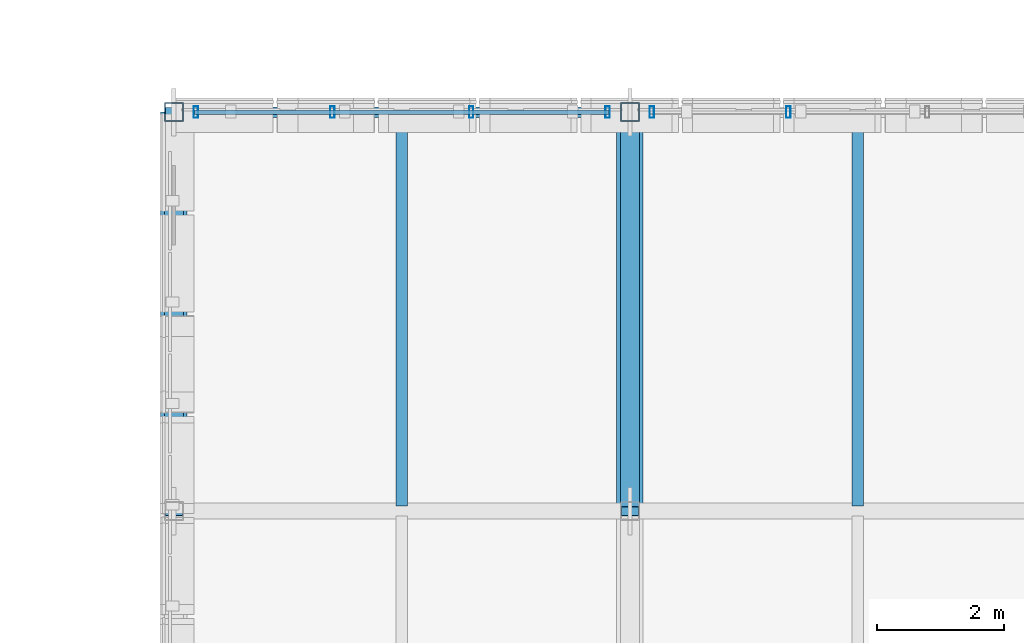
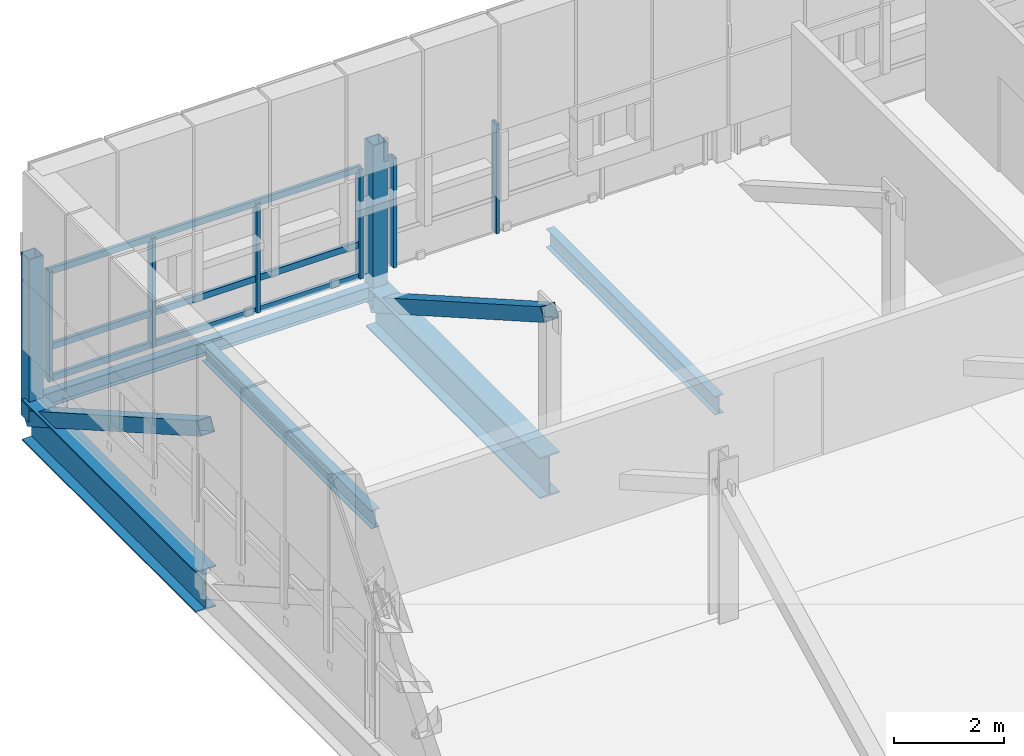
# One storey, part 24 of 96: 13 members, 5 beams, 2 elements without a shape of their own.
"""IFC4 building model written with IfcOpenShell, lengths in metres."""

from ifc_helpers import new_model, si_unit, direction, frame, origin, origin_2d, place, context, subcontext, project, spatial, hollow_rectangle, i_section, extrude, material, material_profile, profile_set, type_object, element, aggregate, save


model = new_model("IFC4")

# Units and contexts
model_context = context("Model", 3, precision=1e-05, world=origin(), true_north=direction((0.0, 1.0)))
body_context = subcontext(model_context, "Body", "Model", "MODEL_VIEW")
ifc_project = project(units=[si_unit("LENGTHUNIT", "METRE"), si_unit("AREAUNIT", "SQUARE_METRE"), si_unit("VOLUMEUNIT", "CUBIC_METRE"), si_unit("PLANEANGLEUNIT", "RADIAN"), si_unit("MASSUNIT", "GRAM", prefix="KILO")], contexts=[model_context])

# Site, building, storey
site_placement = place(None, origin())
site = spatial("IfcSite", under=ifc_project, at=site_placement, CompositionType="ELEMENT")
building_placement = place(site_placement, origin())
building = spatial("IfcBuilding", under=site, at=building_placement, Name="Yarey Park Central Fire Station", CompositionType="ELEMENT")
storey_placement = place(building_placement, frame((0.0, 0.0, 14.39990234375)))
storey = spatial("IfcBuildingStorey", under=building, at=storey_placement, Name="L04", CompositionType="ELEMENT", Elevation=14.39990234375)

# Curtain wall, members
ifc_material_1 = material(Name="Anodized Aluminium Frame", Category="aluminium")
curtain_wall_type = type_object("IfcCurtainWallType", Name="ENV_CW_V3_OVR2", PredefinedType="NOTDEFINED", material=ifc_material_1)
curtain_wall_1_placement = place(storey_placement, origin())
curtain_wall_1 = element("IfcCurtainWall", 1, at=curtain_wall_1_placement, inside=storey, type_object=curtain_wall_type, Name="CW_L04_V3_N_061", PredefinedType="NOTDEFINED")
ifc_material_profile_1 = material_profile(ifc_material_1, hollow_rectangle(XDim=0.070068359375, YDim=0.179931640625, WallThickness=0.00390625, at=origin_2d()), Name="ALU 180x70x4")
ifc_profile_set_1 = profile_set([ifc_material_profile_1], Name="Anodized Aluminium Frame")
member_type_1 = type_object("IfcMemberType", Name="ENV_CW_MULLION", PredefinedType="MULLION", material=ifc_profile_set_1)
member_1_placement = place(storey_placement, frame((35.64990234375, 99.0, 0.0), z_axis=(0.0, 0.0, 1.0), x_axis=(1.0, 0.0, 0.0)))
member_1 = element("IfcMember", 2, at=member_1_placement, type_object=member_type_1, Name="CW_L04_V3_N_061_MUL1", PredefinedType="MULLION", context=body_context, shape_type="SweptSolid", body=[
    extrude(hollow_rectangle(XDim=0.070068359375, YDim=0.179931640625, WallThickness=0.00390625, at=origin_2d()), origin(), (0.0, 0.0, 1.0), 2.420166015625),
])
member_2_placement = place(storey_placement, frame((33.49658203125, 99.0, 0.0), z_axis=(0.0, 0.0, 1.0), x_axis=(1.0, 0.0, 0.0)))
member_2 = element("IfcMember", 3, at=member_2_placement, type_object=member_type_1, Name="CW_L04_V3_N_061_MUL2", PredefinedType="MULLION", context=body_context, shape_type="SweptSolid", body=[
    extrude(hollow_rectangle(XDim=0.070068359375, YDim=0.179931640625, WallThickness=0.00390625, at=origin_2d()), origin(), (0.0, 0.0, 1.0), 2.420166015625),
])
member_3_placement = place(storey_placement, frame((31.30322265625, 99.0, 0.0), z_axis=(0.0, 0.0, 1.0), x_axis=(1.0, 0.0, 0.0)))
member_3 = element("IfcMember", 4, at=member_3_placement, type_object=member_type_1, Name="CW_L04_V3_N_061_MUL3", PredefinedType="MULLION", context=body_context, shape_type="SweptSolid", body=[
    extrude(hollow_rectangle(XDim=0.070068359375, YDim=0.179931640625, WallThickness=0.00390625, at=origin_2d()), origin(), (0.0, 0.0, 1.0), 2.420166015625),
])
member_4_placement = place(storey_placement, frame((29.14990234375, 99.0, 0.0), z_axis=(0.0, 0.0, 1.0), x_axis=(1.0, 0.0, 0.0)))
member_4 = element("IfcMember", 5, at=member_4_placement, type_object=member_type_1, Name="CW_L04_V3_N_061_MUL4", PredefinedType="MULLION", context=body_context, shape_type="SweptSolid", body=[
    extrude(hollow_rectangle(XDim=0.070068359375, YDim=0.179931640625, WallThickness=0.00390625, at=origin_2d()), origin(), (0.0, 0.0, 1.0), 2.420166015625),
])

curtain_wall_2_placement = place(storey_placement, origin())
curtain_wall_2 = element("IfcCurtainWall", 6, at=curtain_wall_2_placement, inside=storey, type_object=curtain_wall_type, Name="CW_L04_V3_N_062", PredefinedType="NOTDEFINED")
member_5_placement = place(storey_placement, frame((38.50341796875, 99.0, 0.0), z_axis=(0.0, 0.0, 1.0), x_axis=(1.0, 0.0, 0.0)))
member_5 = element("IfcMember", 7, at=member_5_placement, type_object=member_type_1, Name="CW_L04_V3_N_062_MUL3", PredefinedType="MULLION", context=body_context, shape_type="SweptSolid", body=[
    extrude(hollow_rectangle(XDim=0.070068359375, YDim=0.179931640625, WallThickness=0.00390625, at=origin_2d()), origin(), (0.0, 0.0, 1.0), 2.420166015625),
])
member_6_placement = place(storey_placement, frame((36.35009765625, 99.0, 0.0), z_axis=(0.0, 0.0, 1.0), x_axis=(1.0, 0.0, 0.0)))
member_6 = element("IfcMember", 8, at=member_6_placement, type_object=member_type_1, Name="CW_L04_V3_N_062_MUL4", PredefinedType="MULLION", context=body_context, shape_type="SweptSolid", body=[
    extrude(hollow_rectangle(XDim=0.070068359375, YDim=0.179931640625, WallThickness=0.00390625, at=origin_2d()), origin(), (0.0, 0.0, 1.0), 2.420166015625),
])
aggregate(curtain_wall_2, [member_5, member_6])

# Member
ifc_material_profile_2 = material_profile(ifc_material_1, hollow_rectangle(XDim=0.070068359375, YDim=0.139892578125, WallThickness=0.00390625, at=origin_2d()), Name="ALU 140x70x4")
ifc_profile_set_2 = profile_set([ifc_material_profile_2], Name="Anodized Aluminium Frame")
member_type_2 = type_object("IfcMemberType", Name="ENV_CW_TRANSOM", PredefinedType="USERDEFINED", material=ifc_profile_set_2)
member_7_placement = place(storey_placement, frame((35.675048828125, 99.0, 0.025146484375), z_axis=(-1.0, 0.0, 0.0), x_axis=(0.0, -1.0, 0.0)))
member_7 = element("IfcMember", 9, at=member_7_placement, type_object=member_type_2, Name="CW_L04_V3_N_061_TRN1", ObjectType="TRANSOM", PredefinedType="USERDEFINED", context=body_context, shape_type="SweptSolid", body=[
    extrude(hollow_rectangle(XDim=0.070068359375, YDim=0.139892578125, WallThickness=0.00390625, at=origin_2d()), origin(), (0.0, 0.0, 1.0), 6.550048828125),
])

member_8_placement = place(storey_placement, frame((35.675048828125, 99.0, 0.72607421875), z_axis=(-1.0, 0.0, 0.0), x_axis=(0.0, -1.0, 0.0)))
member_8 = element("IfcMember", 10, at=member_8_placement, type_object=member_type_2, Name="CW_L04_V3_N_061_TRN2", ObjectType="TRANSOM", PredefinedType="USERDEFINED", context=body_context, shape_type="SweptSolid", body=[
    extrude(hollow_rectangle(XDim=0.070068359375, YDim=0.139892578125, WallThickness=0.00390625, at=origin_2d()), origin(), (0.0, 0.0, 1.0), 6.550048828125),
])

member_9_placement = place(storey_placement, frame((35.675048828125, 99.0, 2.39501953125), z_axis=(-1.0, 0.0, 0.0), x_axis=(0.0, -1.0, 0.0)))
member_9 = element("IfcMember", 11, at=member_9_placement, type_object=member_type_2, Name="CW_L04_V3_N_061_TRN3", ObjectType="TRANSOM", PredefinedType="USERDEFINED", context=body_context, shape_type="SweptSolid", body=[
    extrude(hollow_rectangle(XDim=0.070068359375, YDim=0.139892578125, WallThickness=0.00390625, at=origin_2d()), origin(), (0.0, 0.0, 1.0), 6.550048828125),
])

aggregate(curtain_wall_1, [member_1, member_2, member_3, member_4, member_7, member_8, member_9])

# Beams
ifc_material_2 = material(Name="Steel ASTM A992 Gr. 50", Category="steel")
ifc_material_profile_3 = material_profile(ifc_material_2, i_section(OverallWidth=0.41796875, OverallDepth=0.912109375, WebThickness=0.019287109375, FlangeThickness=0.031982421875, at=origin_2d()), Name="W920x342")
ifc_profile_set_3 = profile_set([ifc_material_profile_3], Name="Steel ASTM A992 Gr. 50")
beam_type_1 = type_object("IfcBeamType", Name="STR_BM_W920", PredefinedType="BEAM", material=ifc_profile_set_3)
beam_1_placement = place(storey_placement, frame((36.0, 92.699951171875, -0.705810546875), z_axis=(0.0, 1.0, 0.0), x_axis=(-1.0, 0.0, 0.0)))
element("IfcBeam", 12, at=beam_1_placement, inside=storey, type_object=beam_type_1, Name="Transfer Truss TT2 L04 CH6", PredefinedType="BEAM", context=body_context, shape_type="SweptSolid", body=[
    extrude(i_section(OverallWidth=0.41796875, OverallDepth=0.912109375, WebThickness=0.019287109375, FlangeThickness=0.031982421875, at=origin_2d()), origin(), (0.0, 0.0, 1.0), 6.300048828125),
])
ifc_material_profile_4 = material_profile(ifc_material_2, i_section(OverallWidth=0.41796875, OverallDepth=0.912109375, WebThickness=0.019287109375, FlangeThickness=0.031982421875, at=origin_2d()), Name="W920x342")
ifc_profile_set_4 = profile_set([ifc_material_profile_4], Name="Steel ASTM A992 Gr. 50")
beam_type_2 = type_object("IfcBeamType", Name="STR_BM_W920E", PredefinedType="BEAM", material=ifc_profile_set_4)
beam_2_placement = place(storey_placement, frame((28.800048828125, 92.699951171875, -0.705810546875), z_axis=(0.0, 1.0, 0.0), x_axis=(-1.0, 0.0, 0.0)))
element("IfcBeam", 13, at=beam_2_placement, inside=storey, type_object=beam_type_2, Name="Transfer Truss TT1 L04 CH6", PredefinedType="BEAM", context=body_context, shape_type="SweptSolid", body=[
    extrude(i_section(OverallWidth=0.41796875, OverallDepth=0.912109375, WebThickness=0.019287109375, FlangeThickness=0.031982421875, at=origin_2d()), origin(), (0.0, 0.0, 1.0), 6.300048828125),
])
ifc_material_profile_5 = material_profile(ifc_material_2, i_section(OverallWidth=0.177978515625, OverallDepth=0.406982421875, WebThickness=0.0078125, FlangeThickness=0.0126953125, at=origin_2d()), Name="W410x60")
ifc_profile_set_5 = profile_set([ifc_material_profile_5], Name="Steel ASTM A992 Gr. 50")
beam_type_3 = type_object("IfcBeamType", Name="STR_JST_W410", PredefinedType="JOIST", material=ifc_profile_set_5)
for number, where, z_axis, x_axis, name in (
    (14, (32.39990234375, 92.780029296875, -0.453369140625), (0.0, 1.0, 0.0), (-1.0, 0.0, 0.0), "CANT JST L04 X324 Y927"),
    (15, (39.60009765625, 92.780029296875, -0.453369140625), (0.0, 1.0, 0.0), (-1.0, 0.0, 0.0), "CANT JST L04 X396 Y927"),
):
    element("IfcBeam", number, at=place(storey_placement, frame(where, z_axis=z_axis, x_axis=x_axis)), inside=storey, type_object=beam_type_3, Name=name, PredefinedType="JOIST", context=body_context, shape_type="SweptSolid", body=[
        extrude(i_section(OverallWidth=0.177978515625, OverallDepth=0.406982421875, WebThickness=0.0078125, FlangeThickness=0.0126953125, at=origin_2d()), origin(), (0.0, 0.0, 1.0), 6.139892578125),
    ])

# Members
ifc_material_3 = material(Name="Steel ASTM A500 Gr. C", Category="steel")
ifc_material_profile_6 = material_profile(ifc_material_3, hollow_rectangle(XDim=0.300048828125, YDim=0.300048828125, WallThickness=0.01611328125, at=origin_2d()), Name="HSS 300x300x16")
ifc_profile_set_6 = profile_set([ifc_material_profile_6], Name="Steel ASTM A500 Gr. C")
member_type_3 = type_object("IfcMemberType", Name="STR_PRATT_HSS300", PredefinedType="BRACE", material=ifc_profile_set_6)
member_10_placement = place(storey_placement, frame((36.0, 92.699951171875, 2.900146484375), z_axis=(0.0, 0.868239001029, -0.496146185203), x_axis=(-1.0, 0.0, 0.0)))
element("IfcMember", 16, at=member_10_placement, inside=storey, type_object=member_type_3, Name="TT2_L04_DIAG6", PredefinedType="BRACE", context=body_context, shape_type="SweptSolid", body=[
    extrude(hollow_rectangle(XDim=0.300048828125, YDim=0.300048828125, WallThickness=0.01611328125, at=origin_2d()), origin(), (0.0, 0.0, 1.0), 7.256103515625),
])
ifc_material_profile_7 = material_profile(ifc_material_3, hollow_rectangle(XDim=0.300048828125, YDim=0.300048828125, WallThickness=0.01611328125, at=origin_2d()), Name="HSS 300x300x16")
ifc_profile_set_7 = profile_set([ifc_material_profile_7], Name="Steel ASTM A500 Gr. C")
member_type_4 = type_object("IfcMemberType", Name="STR_PRATT_HSS300E", PredefinedType="BRACE", material=ifc_profile_set_7)
member_11_placement = place(storey_placement, frame((28.800048828125, 92.699951171875, 2.900146484375), z_axis=(0.0, 0.868239001029, -0.496146185203), x_axis=(-1.0, 0.0, 0.0)))
element("IfcMember", 17, at=member_11_placement, inside=storey, type_object=member_type_4, Name="TT1_L04_DIAG6", PredefinedType="BRACE", context=body_context, shape_type="SweptSolid", body=[
    extrude(hollow_rectangle(XDim=0.300048828125, YDim=0.300048828125, WallThickness=0.01611328125, at=origin_2d()), origin(), (0.0, 0.0, 1.0), 7.256103515625),
])
for number, where, z_axis, x_axis, name in (
    (18, (28.800048828125, 99.0, -0.699951171875), (0.0, 0.0, 1.0), (1.0, 0.0, 0.0), "TT1_L04_POST_990"),
    (19, (36.0, 99.0, -0.699951171875), (0.0, 0.0, 1.0), (1.0, 0.0, 0.0), "TT2_L04_POST_990"),
):
    element("IfcMember", number, at=place(storey_placement, frame(where, z_axis=z_axis, x_axis=x_axis)), inside=storey, type_object=member_type_4, Name=name, PredefinedType="BRACE", context=body_context, shape_type="SweptSolid", body=[
        extrude(hollow_rectangle(XDim=0.300048828125, YDim=0.300048828125, WallThickness=0.01611328125, at=origin_2d()), origin(), (0.0, 0.0, 1.0), 3.60009765625),
    ])

# Beam
ifc_material_profile_8 = material_profile(ifc_material_2, i_section(OverallWidth=0.1650390625, OverallDepth=0.31005859375, WebThickness=0.005859375, FlangeThickness=0.009765625, at=origin_2d()), Name="W310x39")
ifc_profile_set_8 = profile_set([ifc_material_profile_8], Name="Steel ASTM A992 Gr. 50")
beam_type_4 = type_object("IfcBeamType", Name="STR_SPN_W310", PredefinedType="SPANDREL", material=ifc_profile_set_8)
beam_3_placement = place(storey_placement, frame((28.800048828125, 99.0, -0.40478515625), z_axis=(1.0, 0.0, 0.0), x_axis=(0.0, 1.0, 0.0)))
element("IfcBeam", 20, at=beam_3_placement, inside=storey, type_object=beam_type_4, Name="CANT TIE L04 Y990 X28", PredefinedType="SPANDREL", context=body_context, shape_type="SweptSolid", body=[
    extrude(i_section(OverallWidth=0.1650390625, OverallDepth=0.31005859375, WebThickness=0.005859375, FlangeThickness=0.009765625, at=origin_2d()), origin(), (0.0, 0.0, 1.0), 7.199951171875),
])

save(model, "model.ifc")
